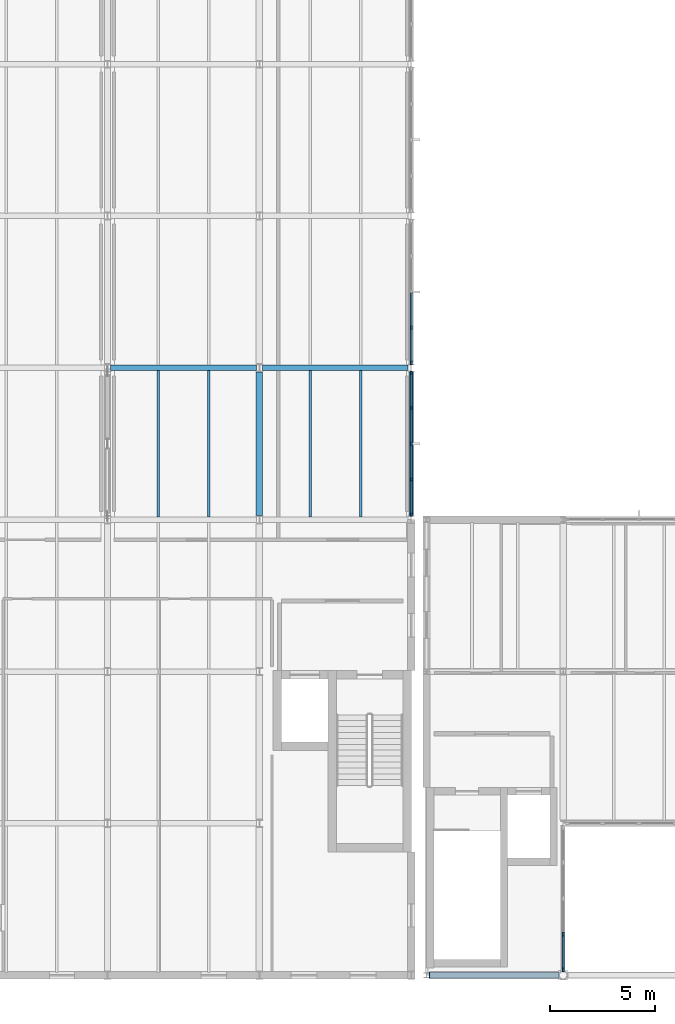
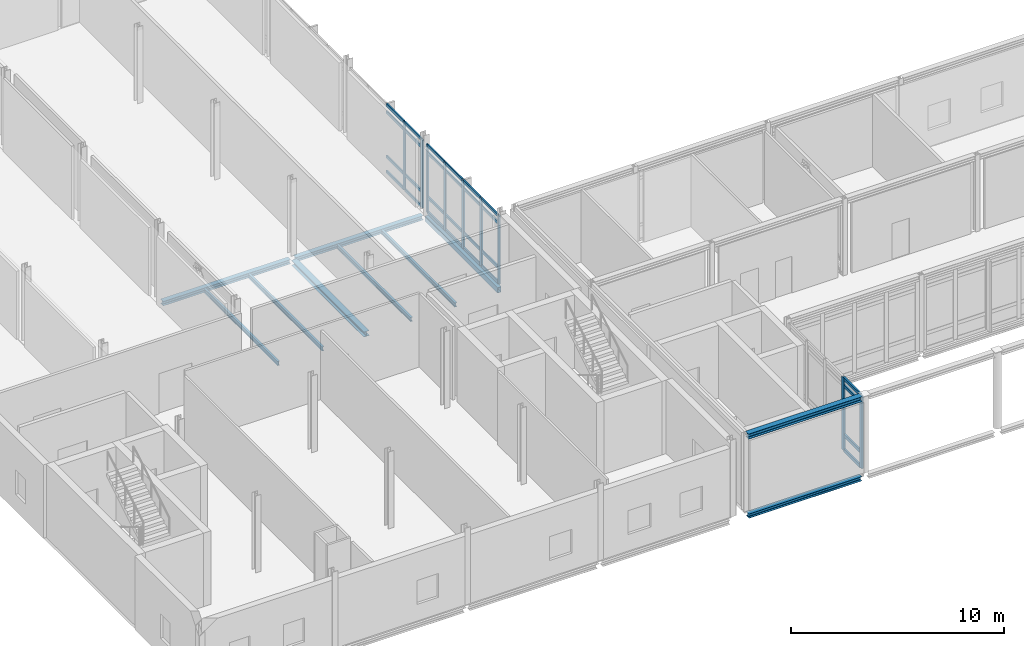
# One storey, part 8 of 43: 37 members, 10 beams, 3 elements without a shape of their own.
"""IFC4 building model written with IfcOpenShell, lengths in metres."""

import ifcopenshell
import ifcopenshell.guid

model = None  # the IFC model being written
_history = None  # IfcOwnerHistory: only IFC2X3 demands one
_inside = {}  # id of a spatial element -> (the spatial element, [elements in it])
_under = {}  # id of a project, library or spatial element -> (it, [spatial elements below it])
_declared = {}  # id of a project -> (the project, [libraries it declares])
_typed = {}  # id of a type object -> (the type object, [elements of that type])
_made_of = {}  # id of a material, layer set ... -> (it, [elements and type objects made of it])


def new_model(schema):
    """Start an empty IFC model of exactly this schema.

    Asked for "IFC4X3", IfcOpenShell would pick the latest addendum, in which some entities
    have other attributes; the version numbers below select the first issue.
    IFC2X3 requires an IfcOwnerHistory on every rooted entity: one is made here for all.
    """
    global model, _history
    if schema == "IFC4X3":
        model = ifcopenshell.file(schema_version=(4, 3, 0, 0))
    else:
        model = ifcopenshell.file(schema=schema)
    _inside.clear()
    _under.clear()
    _declared.clear()
    _typed.clear()
    _made_of.clear()
    _history = None
    if model.schema == "IFC2X3":
        org = make("IfcOrganization", Name="unknown")
        user = make(
            "IfcPersonAndOrganization",
            ThePerson=make("IfcPerson", FamilyName="unknown"),
            TheOrganization=org,
        )
        app = make(
            "IfcApplication",
            ApplicationDeveloper=org,
            Version="unknown",
            ApplicationFullName="unknown",
            ApplicationIdentifier="unknown",
        )
        _history = make(
            "IfcOwnerHistory",
            OwningUser=user,
            OwningApplication=app,
            ChangeAction="ADDED",
            CreationDate=0,
        )
    return model


def make(cls, **values):
    """One entity of the class cls with the attributes given. An attribute that is None is left unset."""
    return model.create_entity(
        cls, **{name: value for name, value in values.items() if value is not None}
    )


def rooted(cls, **values):
    """An entity with a GlobalId (a new one), such as an element, a storey or a relation."""
    return make(cls, GlobalId=ifcopenshell.guid.new(), OwnerHistory=_history, **values)


def si_unit(unit_type, name, prefix=None):
    """IfcSIUnit, for example si_unit("LENGTHUNIT", "METRE", prefix="MILLI")."""
    return make("IfcSIUnit", UnitType=unit_type, Prefix=prefix, Name=name)


def assignment(units):
    """IfcUnitAssignment: the units of a project."""
    return None if units is None else make("IfcUnitAssignment", Units=units)


def point(xyz):
    """IfcCartesianPoint."""
    return None if xyz is None else make("IfcCartesianPoint", Coordinates=xyz)


def direction(xyz):
    """IfcDirection."""
    return None if xyz is None else make("IfcDirection", DirectionRatios=xyz)


def frame(location, z_axis=None, x_axis=None):
    """IfcAxis2Placement3D, a coordinate frame: its origin and axes. An axis left out is left unset."""
    return make(
        "IfcAxis2Placement3D",
        Location=point(location),
        Axis=direction(z_axis),
        RefDirection=direction(x_axis),
    )


def frame_2d(location, x_axis=None):
    """IfcAxis2Placement2D, a coordinate frame in the plane: its origin and x axis."""
    return make(
        "IfcAxis2Placement2D", Location=point(location), RefDirection=direction(x_axis)
    )


def origin():
    """The frame at (0, 0, 0) with its axes left unset."""
    return frame((0.0, 0.0, 0.0))


def origin_2d():
    """The frame at (0, 0) in the plane with its x axis left unset."""
    return frame_2d((0.0, 0.0))


def place(relative_to, where):
    """IfcLocalPlacement: puts the frame where relative to a parent placement (None: the world)."""
    return make(
        "IfcLocalPlacement", PlacementRelTo=relative_to, RelativePlacement=where
    )


def context(
    kind, dimensions, precision=None, world=None, true_north=None, identifier=None
):
    """IfcGeometricRepresentationContext, for example the 3D "Model" context."""
    return make(
        "IfcGeometricRepresentationContext",
        ContextIdentifier=identifier,
        ContextType=kind,
        CoordinateSpaceDimension=dimensions,
        Precision=precision,
        WorldCoordinateSystem=world,
        TrueNorth=true_north,
    )


def subcontext(parent, identifier, kind, view, scale=None):
    """IfcGeometricRepresentationSubContext, for example "Body" below "Model"."""
    return make(
        "IfcGeometricRepresentationSubContext",
        ContextIdentifier=identifier,
        ContextType=kind,
        ParentContext=parent,
        TargetScale=scale,
        TargetView=view,
    )


def project(units=None, contexts=None):
    """IfcProject with its units and contexts."""
    return rooted(
        "IfcProject",
        Name="project",
        RepresentationContexts=contexts,
        UnitsInContext=assignment(units),
    )


def spatial(cls, under=None, at=None, **own):
    """A site, building, storey or space (cls), placed at a placement, below another one or the project."""
    s = rooted(cls, ObjectPlacement=at, **own)
    if under is not None:
        _under.setdefault(under.id(), (under, []))[1].append(s)
    return s


def profile(cls, at=None, kind="AREA", **sizes):
    """A parametric profile (cls). Its sizes go by their IFC names, for example OverallWidth=200.0."""
    return make(cls, ProfileType=kind, Position=at, **sizes)


def rectangle(**sizes):
    """IfcRectangleProfileDef."""
    return profile("IfcRectangleProfileDef", **sizes)


def hollow_rectangle(**sizes):
    """IfcRectangleHollowProfileDef."""
    return profile("IfcRectangleHollowProfileDef", **sizes)


def i_section(**sizes):
    """IfcIShapeProfileDef."""
    return profile("IfcIShapeProfileDef", **sizes)


def extrude(swept, where, along, depth):
    """IfcExtrudedAreaSolid: the profile swept, set in the frame where, extruded along a direction by depth."""
    return make(
        "IfcExtrudedAreaSolid",
        SweptArea=swept,
        Position=where,
        ExtrudedDirection=direction(along),
        Depth=depth,
    )


def shape(context_of_items, identifier, shape_type, items):
    """IfcShapeRepresentation: the items that make up one representation, for example the "Body"."""
    return make(
        "IfcShapeRepresentation",
        ContextOfItems=context_of_items,
        RepresentationIdentifier=identifier,
        RepresentationType=shape_type,
        Items=items,
    )


def material(Name=None, Category=None):
    """IfcMaterial."""
    return make("IfcMaterial", Name=Name, Category=Category)


def layer(
    of_material, thickness, ventilated=None, Name=None, Category=None, Priority=None
):
    """IfcMaterialLayer: one layer of a wall or slab, of a material (None: an air gap)."""
    return make(
        "IfcMaterialLayer",
        Material=of_material,
        LayerThickness=thickness,
        IsVentilated=ventilated,
        Name=Name,
        Category=Category,
        Priority=Priority,
    )


def layer_set(layers, Name=None):
    """IfcMaterialLayerSet."""
    return make("IfcMaterialLayerSet", MaterialLayers=layers, LayerSetName=Name)


def material_profile(
    of_material, cross_section, Name=None, Category=None, Priority=None
):
    """IfcMaterialProfile: a cross section and its material."""
    return make(
        "IfcMaterialProfile",
        Name=Name,
        Material=of_material,
        Profile=cross_section,
        Priority=Priority,
        Category=Category,
    )


def profile_set(profiles, Name=None, composite=None):
    """IfcMaterialProfileSet."""
    return make(
        "IfcMaterialProfileSet",
        Name=Name,
        MaterialProfiles=profiles,
        CompositeProfile=composite,
    )


def made_of(thing, what):
    """Note that an element or type object is made of a material, layer set ...; save() writes the relation."""
    if what is not None:
        _made_of.setdefault(what.id(), (what, []))[1].append(thing)
    return thing


def type_object(cls, material=None, **own):
    """A type object (cls), such as IfcWallType, which elements share."""
    return made_of(rooted(cls, **own), material)


def element(
    cls,
    number,
    at=None,
    inside=None,
    cuts=None,
    type_object=None,
    material=None,
    context=None,
    identifier="Body",
    shape_type=None,
    held_by="IfcProductDefinitionShape",
    body=None,
    shapes=None,
    **own,
):
    """One element of the class cls, such as IfcWall. Its Tag is "e" and its number.

    at: its placement. inside: the storey or other place that contains it. cuts: it is an
    opening in that element (IfcRelVoidsElement). A single representation is given by context,
    identifier, shape_type and body (its items); several are given by shapes. held_by: the class
    of the entity that holds the representations. save() writes the other relations.
    """
    e = rooted(cls, Tag="e%d" % number, ObjectPlacement=at, **own)
    if body is not None:
        shapes = [shape(context, identifier, shape_type, body)]
    if shapes is not None:
        e.Representation = make(held_by, Representations=shapes)
    if inside is not None:
        _inside.setdefault(inside.id(), (inside, []))[1].append(e)
    if cuts is not None:
        rooted(
            "IfcRelVoidsElement", RelatingBuildingElement=cuts, RelatedOpeningElement=e
        )
    if type_object is not None:
        _typed.setdefault(type_object.id(), (type_object, []))[1].append(e)
    return made_of(e, material)


def aggregate(whole, parts):
    """IfcRelAggregates: a whole, such as a stair, and the parts it consists of."""
    return rooted("IfcRelAggregates", RelatingObject=whole, RelatedObjects=parts)


def save(model, path):
    """Write the relations noted so far, then the file.

    IfcRelAggregates (storeys below a building ...), IfcRelContainedInSpatialStructure (elements
    in a storey), IfcRelDefinesByType, IfcRelAssociatesMaterial and IfcRelDeclares: one each for
    every whole, place, type object, material and project.
    """
    for whole, parts in _under.values():
        aggregate(whole, parts)
    for where, things in _inside.values():
        rooted(
            "IfcRelContainedInSpatialStructure",
            RelatedElements=things,
            RelatingStructure=where,
        )
    for kind, things in _typed.values():
        rooted("IfcRelDefinesByType", RelatedObjects=things, RelatingType=kind)
    for what, things in _made_of.values():
        rooted("IfcRelAssociatesMaterial", RelatedObjects=things, RelatingMaterial=what)
    for by, libraries in _declared.values():
        rooted("IfcRelDeclares", RelatingContext=by, RelatedDefinitions=libraries)
    model.write(path)


model = new_model("IFC4")

# Units and contexts
model_context = context("Model", 3, precision=1e-05, world=origin(), true_north=direction((0.0, 1.0)))
body_context = subcontext(model_context, "Body", "Model", "MODEL_VIEW")
ifc_project = project(units=[si_unit("LENGTHUNIT", "METRE"), si_unit("AREAUNIT", "SQUARE_METRE"), si_unit("VOLUMEUNIT", "CUBIC_METRE"), si_unit("PLANEANGLEUNIT", "RADIAN"), si_unit("MASSUNIT", "GRAM", prefix="KILO")], contexts=[model_context])

# Site, building, storey
site_placement = place(None, origin())
site = spatial("IfcSite", under=ifc_project, at=site_placement, CompositionType="ELEMENT")
building_placement = place(site_placement, origin())
building = spatial("IfcBuilding", under=site, at=building_placement, Name="Zarrinpeak Specialist Clinic", CompositionType="ELEMENT")
storey_placement = place(building_placement, frame((0.0, 0.0, 18.39990234375)))
storey = spatial("IfcBuildingStorey", under=building, at=storey_placement, Name="L04", CompositionType="ELEMENT", Elevation=18.39990234375)

# Beams
ifc_material_1 = material(Name="Steel S355", Category="steel")
ifc_material_profile_1 = material_profile(ifc_material_1, i_section(OverallWidth=0.260009765625, OverallDepth=0.25, WebThickness=0.007568359375, FlangeThickness=0.012451171875, FilletRadius=0.02392578125, at=origin_2d()), Name="HEA 260")
ifc_profile_set_1 = profile_set([ifc_material_profile_1], Name="Steel S355")
beam_type_1 = type_object("IfcBeamType", Name="BM-HEA260", PredefinedType="BEAM", material=ifc_profile_set_1)
beam_1_placement = place(storey_placement, frame((29.66796875, 0.0, -0.324951171875), z_axis=(1.0, 0.0, 0.0), x_axis=(0.0, 1.0, 0.0)))
element("IfcBeam", 1, at=beam_1_placement, inside=storey, type_object=beam_type_1, Name="L04 Primary Floor Girder BM-L04-X1812", PredefinedType="BEAM", context=body_context, shape_type="SweptSolid", body=[
    extrude(i_section(OverallWidth=0.260009765625, OverallDepth=0.25, WebThickness=0.007568359375, FlangeThickness=0.012451171875, FilletRadius=0.02392578125, at=origin_2d()), origin(), (0.0, 0.0, 1.0), 6.130859375),
])
beam_2_placement = place(storey_placement, frame((14.548095703125, 28.800048828125, -0.324951171875), z_axis=(1.0, 0.0, 0.0), x_axis=(0.0, 1.0, 0.0)))
element("IfcBeam", 2, at=beam_2_placement, inside=storey, type_object=beam_type_1, Name="L04 Primary Floor Girder BM-L04-X1849", PredefinedType="BEAM", context=body_context, shape_type="SweptSolid", body=[
    extrude(i_section(OverallWidth=0.260009765625, OverallDepth=0.25, WebThickness=0.007568359375, FlangeThickness=0.012451171875, FilletRadius=0.02392578125, at=origin_2d()), origin(), (0.0, 0.0, 1.0), 6.90380859375),
])
beam_3_placement = place(storey_placement, frame((21.748046875, 28.800048828125, -0.324951171875), z_axis=(1.0, 0.0, 0.0), x_axis=(0.0, 1.0, 0.0)))
element("IfcBeam", 3, at=beam_3_placement, inside=storey, type_object=beam_type_1, Name="L04 Primary Floor Girder BM-L04-X1850", PredefinedType="BEAM", context=body_context, shape_type="SweptSolid", body=[
    extrude(i_section(OverallWidth=0.260009765625, OverallDepth=0.25, WebThickness=0.007568359375, FlangeThickness=0.012451171875, FilletRadius=0.02392578125, at=origin_2d()), origin(), (0.0, 0.0, 1.0), 6.904052734375),
])
ifc_material_profile_2 = material_profile(ifc_material_1, i_section(OverallWidth=0.300048828125, OverallDepth=0.2900390625, WebThickness=0.008544921875, FlangeThickness=0.013916015625, FilletRadius=0.027099609375, at=origin_2d()), Name="HEA 300")
ifc_profile_set_2 = profile_set([ifc_material_profile_2], Name="Steel S355")
beam_type_2 = type_object("IfcBeamType", Name="BM-HEA300", PredefinedType="BEAM", material=ifc_profile_set_2)
beam_4_placement = place(storey_placement, frame((21.60009765625, 21.798095703125, -0.344970703125), z_axis=(0.0, 1.0, 0.0), x_axis=(-1.0, 0.0, 0.0)))
element("IfcBeam", 4, at=beam_4_placement, inside=storey, type_object=beam_type_2, Name="L04 Primary Beam BM-L04-Y1902", PredefinedType="BEAM", context=body_context, shape_type="SweptSolid", body=[
    extrude(i_section(OverallWidth=0.300048828125, OverallDepth=0.2900390625, WebThickness=0.008544921875, FlangeThickness=0.013916015625, FilletRadius=0.027099609375, at=origin_2d()), origin(), (0.0, 0.0, 1.0), 6.803955078125),
])
beam_5_placement = place(storey_placement, frame((29.637939453125, 0.0, 4.25), z_axis=(1.0, 0.0, 0.0), x_axis=(0.0, 1.0, 0.0)))
element("IfcBeam", 5, at=beam_5_placement, inside=storey, type_object=beam_type_2, Name="L04 Gable Eave Tie Girder V2 BM-RF-EAVE-2331", PredefinedType="BEAM", context=body_context, shape_type="SweptSolid", body=[
    extrude(i_section(OverallWidth=0.300048828125, OverallDepth=0.2900390625, WebThickness=0.008544921875, FlangeThickness=0.013916015625, FilletRadius=0.027099609375, at=origin_2d()), origin(), (0.0, 0.0, 1.0), 6.160888671875),
])
ifc_material_profile_3 = material_profile(ifc_material_1, i_section(OverallWidth=0.1201171875, OverallDepth=0.239990234375, WebThickness=0.006103515625, FlangeThickness=0.009765625, FilletRadius=0.014892578125, at=origin_2d()), Name="IPE 240")
ifc_profile_set_3 = profile_set([ifc_material_profile_3], Name="Steel S355")
beam_type_3 = type_object("IfcBeamType", Name="BM-JST240", PredefinedType="JOIST", material=ifc_profile_set_3)
for number, where, z_axis, x_axis, name in (
    (6, (16.800048828125, 21.72802734375, -0.31982421875), (0.0, 1.0, 0.0), (-1.0, 0.0, 0.0), "L04 Composite Floor Joist JST-L04-1973"),
    (7, (19.199951171875, 21.72802734375, -0.31982421875), (0.0, 1.0, 0.0), (-1.0, 0.0, 0.0), "L04 Composite Floor Joist JST-L04-1974"),
    (8, (24.0, 21.72802734375, -0.31982421875), (0.0, 1.0, 0.0), (-1.0, 0.0, 0.0), "L04 Composite Floor Joist JST-L04-1981"),
    (9, (26.39990234375, 21.72802734375, -0.31982421875), (0.0, 1.0, 0.0), (-1.0, 0.0, 0.0), "L04 Composite Floor Joist JST-L04-1982"),
):
    element("IfcBeam", number, at=place(storey_placement, frame(where, z_axis=z_axis, x_axis=x_axis)), inside=storey, type_object=beam_type_3, Name=name, PredefinedType="JOIST", context=body_context, shape_type="SweptSolid", body=[
        extrude(i_section(OverallWidth=0.1201171875, OverallDepth=0.239990234375, WebThickness=0.006103515625, FlangeThickness=0.009765625, FilletRadius=0.014892578125, at=origin_2d()), origin(), (0.0, 0.0, 1.0), 6.944091796875),
    ])
ifc_material_profile_4 = material_profile(ifc_material_1, hollow_rectangle(XDim=0.199951171875, YDim=0.300048828125, WallThickness=0.012451171875, at=origin_2d()), Name="RHS 300x200x12.5")
ifc_profile_set_4 = profile_set([ifc_material_profile_4], Name="Steel S355")
beam_type_4 = type_object("IfcBeamType", Name="BM-SP300", PredefinedType="SPANDREL", material=ifc_profile_set_4)
beam_6_placement = place(storey_placement, frame((28.800048828125, 21.798095703125, -0.349853515625), z_axis=(0.0, 1.0, 0.0), x_axis=(-1.0, 0.0, 0.0)))
element("IfcBeam", 10, at=beam_6_placement, inside=storey, type_object=beam_type_4, Name="L04 Perimeter Spandrel Beam BM-L04-Y1906", PredefinedType="SPANDREL", context=body_context, shape_type="SweptSolid", body=[
    extrude(hollow_rectangle(XDim=0.199951171875, YDim=0.300048828125, WallThickness=0.012451171875, at=origin_2d()), origin(), (0.0, 0.0, 1.0), 6.803955078125),
])

# Curtain wall, members
ifc_material_2 = material(Name="Anodised Aluminium Alloy 6063-T6", Category="aluminium")
ifc_layer_1 = layer(ifc_material_2, 0.179931640625)
ifc_layer_set_1 = layer_set([ifc_layer_1], Name="Anodised Aluminium Alloy 6063-T6")
curtain_wall_type_1 = type_object("IfcCurtainWallType", Name="CW-COURT", PredefinedType="NOTDEFINED", material=ifc_layer_set_1)
curtain_wall_1_placement = place(storey_placement, origin())
curtain_wall_1 = element("IfcCurtainWall", 11, at=curtain_wall_1_placement, inside=storey, type_object=curtain_wall_type_1, Name="L04 V1 Unitised Curtain Wall CW-L04-V1-027", PredefinedType="NOTDEFINED")
ifc_material_profile_5 = material_profile(ifc_material_2, rectangle(XDim=0.074951171875, YDim=0.179931640625, at=origin_2d()), Name="ALU 75x180")
ifc_profile_set_5 = profile_set([ifc_material_profile_5], Name="Anodised Aluminium Alloy 6063-T6")
member_type_1 = type_object("IfcMemberType", Name="CWM-75", PredefinedType="MULLION", material=ifc_profile_set_5)
member_1_placement = place(storey_placement, frame((28.800048828125, 21.842529296875, 0.0), z_axis=(0.0, 0.0, 1.0), x_axis=(-1.0, 0.0, 0.0)))
member_1 = element("IfcMember", 12, at=member_1_placement, type_object=member_type_1, Name="CW-01 mullion 1", PredefinedType="MULLION", context=body_context, shape_type="SweptSolid", body=[
    extrude(rectangle(XDim=0.074951171875, YDim=0.179931640625, at=origin_2d()), origin(), (0.0, 0.0, 1.0), 3.900146484375),
])
member_2_placement = place(storey_placement, frame((28.800048828125, 23.50244140625, 0.0), z_axis=(0.0, 0.0, 1.0), x_axis=(-1.0, 0.0, 0.0)))
member_2 = element("IfcMember", 13, at=member_2_placement, type_object=member_type_1, Name="CW-01 mullion 2", PredefinedType="MULLION", context=body_context, shape_type="SweptSolid", body=[
    extrude(rectangle(XDim=0.074951171875, YDim=0.179931640625, at=origin_2d()), origin(), (0.0, 0.0, 1.0), 3.900146484375),
])
member_3_placement = place(storey_placement, frame((28.800048828125, 25.199951171875, 0.0), z_axis=(0.0, 0.0, 1.0), x_axis=(-1.0, 0.0, 0.0)))
member_3 = element("IfcMember", 14, at=member_3_placement, type_object=member_type_1, Name="CW-01 mullion 3", PredefinedType="MULLION", context=body_context, shape_type="SweptSolid", body=[
    extrude(rectangle(XDim=0.074951171875, YDim=0.179931640625, at=origin_2d()), origin(), (0.0, 0.0, 1.0), 3.900146484375),
])
member_4_placement = place(storey_placement, frame((28.800048828125, 26.8974609375, 0.0), z_axis=(0.0, 0.0, 1.0), x_axis=(-1.0, 0.0, 0.0)))
member_4 = element("IfcMember", 15, at=member_4_placement, type_object=member_type_1, Name="CW-01 mullion 4", PredefinedType="MULLION", context=body_context, shape_type="SweptSolid", body=[
    extrude(rectangle(XDim=0.074951171875, YDim=0.179931640625, at=origin_2d()), origin(), (0.0, 0.0, 1.0), 3.900146484375),
])
member_5_placement = place(storey_placement, frame((28.800048828125, 28.5576171875, 0.0), z_axis=(0.0, 0.0, 1.0), x_axis=(-1.0, 0.0, 0.0)))
member_5 = element("IfcMember", 16, at=member_5_placement, type_object=member_type_1, Name="CW-01 mullion 5", PredefinedType="MULLION", context=body_context, shape_type="SweptSolid", body=[
    extrude(rectangle(XDim=0.074951171875, YDim=0.179931640625, at=origin_2d()), origin(), (0.0, 0.0, 1.0), 3.900146484375),
])

curtain_wall_2_placement = place(storey_placement, origin())
curtain_wall_2 = element("IfcCurtainWall", 17, at=curtain_wall_2_placement, inside=storey, type_object=curtain_wall_type_1, Name="L04 V1 Unitised Curtain Wall CW-L04-V1-028", PredefinedType="NOTDEFINED")
member_6_placement = place(storey_placement, frame((28.800048828125, 29.04248046875, 0.0), z_axis=(0.0, 0.0, 1.0), x_axis=(-1.0, 0.0, 0.0)))
member_6 = element("IfcMember", 18, at=member_6_placement, type_object=member_type_1, Name="CW-01 mullion 1", PredefinedType="MULLION", context=body_context, shape_type="SweptSolid", body=[
    extrude(rectangle(XDim=0.074951171875, YDim=0.179931640625, at=origin_2d()), origin(), (0.0, 0.0, 1.0), 3.900146484375),
])
member_7_placement = place(storey_placement, frame((28.800048828125, 30.702392578125, 0.0), z_axis=(0.0, 0.0, 1.0), x_axis=(-1.0, 0.0, 0.0)))
member_7 = element("IfcMember", 19, at=member_7_placement, type_object=member_type_1, Name="CW-01 mullion 2", PredefinedType="MULLION", context=body_context, shape_type="SweptSolid", body=[
    extrude(rectangle(XDim=0.074951171875, YDim=0.179931640625, at=origin_2d()), origin(), (0.0, 0.0, 1.0), 3.900146484375),
])

ifc_layer_2 = layer(ifc_material_2, 0.18994140625)
ifc_layer_set_2 = layer_set([ifc_layer_2], Name="Anodised Aluminium Alloy 6063-T6")
curtain_wall_type_2 = type_object("IfcCurtainWallType", Name="CW-LOGGIA", PredefinedType="NOTDEFINED", material=ifc_layer_set_2)
curtain_wall_3_placement = place(storey_placement, origin())
curtain_wall_3 = element("IfcCurtainWall", 20, at=curtain_wall_3_placement, inside=storey, type_object=curtain_wall_type_2, Name="L04 V2 Unitised Curtain Wall CW-L04-V2-065", PredefinedType="NOTDEFINED")
ifc_material_profile_6 = material_profile(ifc_material_2, rectangle(XDim=0.090087890625, YDim=0.219970703125, at=origin_2d()), Name="ALU 90x220")
ifc_profile_set_6 = profile_set([ifc_material_profile_6], Name="Anodised Aluminium Alloy 6063-T6")
member_type_2 = type_object("IfcMemberType", Name="CWM-90", PredefinedType="MULLION", material=ifc_profile_set_6)
member_8_placement = place(storey_placement, frame((36.0, 0.273193359375, 0.0), z_axis=(0.0, 0.0, 1.0), x_axis=(-1.0, 0.0, 0.0)))
member_8 = element("IfcMember", 21, at=member_8_placement, type_object=member_type_2, Name="CW-04 mullion 1", PredefinedType="MULLION", context=body_context, shape_type="SweptSolid", body=[
    extrude(rectangle(XDim=0.090087890625, YDim=0.219970703125, at=origin_2d()), origin(), (0.0, 0.0, 1.0), 4.18017578125),
])
member_9_placement = place(storey_placement, frame((36.0, 1.934814453125, 0.0), z_axis=(0.0, 0.0, 1.0), x_axis=(-1.0, 0.0, 0.0)))
member_9 = element("IfcMember", 22, at=member_9_placement, type_object=member_type_2, Name="CW-04 mullion 2", PredefinedType="MULLION", context=body_context, shape_type="SweptSolid", body=[
    extrude(rectangle(XDim=0.090087890625, YDim=0.219970703125, at=origin_2d()), origin(), (0.0, 0.0, 1.0), 4.18017578125),
])

# Member
ifc_material_profile_7 = material_profile(ifc_material_2, rectangle(XDim=0.074951171875, YDim=0.159912109375, at=origin_2d()), Name="ALU 75x160")
ifc_profile_set_7 = profile_set([ifc_material_profile_7], Name="Anodised Aluminium Alloy 6063-T6")
member_type_3 = type_object("IfcMemberType", Name="CWT-75", PredefinedType="USERDEFINED", material=ifc_profile_set_7)
member_10_placement = place(storey_placement, frame((28.800048828125, 21.8798828125, 0.03759765625), z_axis=(0.0, 1.0, 0.0), x_axis=(-1.0, 0.0, 0.0)))
member_10 = element("IfcMember", 23, at=member_10_placement, type_object=member_type_3, Name="CW-01 transom 1.1", ObjectType="TRANSOM", PredefinedType="USERDEFINED", context=body_context, shape_type="SweptSolid", body=[
    extrude(rectangle(XDim=0.074951171875, YDim=0.159912109375, at=origin_2d()), origin(), (0.0, 0.0, 1.0), 1.585205078125),
])

member_11_placement = place(storey_placement, frame((28.800048828125, 21.8798828125, 0.900146484375), z_axis=(0.0, 1.0, 0.0), x_axis=(-1.0, 0.0, 0.0)))
member_11 = element("IfcMember", 24, at=member_11_placement, type_object=member_type_3, Name="CW-01 transom 1.2", ObjectType="TRANSOM", PredefinedType="USERDEFINED", context=body_context, shape_type="SweptSolid", body=[
    extrude(rectangle(XDim=0.074951171875, YDim=0.159912109375, at=origin_2d()), origin(), (0.0, 0.0, 1.0), 1.585205078125),
])

member_12_placement = place(storey_placement, frame((28.800048828125, 21.8798828125, 3.4501953125), z_axis=(0.0, 1.0, 0.0), x_axis=(-1.0, 0.0, 0.0)))
member_12 = element("IfcMember", 25, at=member_12_placement, type_object=member_type_3, Name="CW-01 transom 1.3", ObjectType="TRANSOM", PredefinedType="USERDEFINED", context=body_context, shape_type="SweptSolid", body=[
    extrude(rectangle(XDim=0.074951171875, YDim=0.159912109375, at=origin_2d()), origin(), (0.0, 0.0, 1.0), 1.585205078125),
])

member_13_placement = place(storey_placement, frame((28.800048828125, 21.8798828125, 3.862548828125), z_axis=(0.0, 1.0, 0.0), x_axis=(-1.0, 0.0, 0.0)))
member_13 = element("IfcMember", 26, at=member_13_placement, type_object=member_type_3, Name="CW-01 transom 1.4", ObjectType="TRANSOM", PredefinedType="USERDEFINED", context=body_context, shape_type="SweptSolid", body=[
    extrude(rectangle(XDim=0.074951171875, YDim=0.159912109375, at=origin_2d()), origin(), (0.0, 0.0, 1.0), 1.585205078125),
])

member_14_placement = place(storey_placement, frame((28.800048828125, 23.5400390625, 0.03759765625), z_axis=(0.0, 1.0, 0.0), x_axis=(-1.0, 0.0, 0.0)))
member_14 = element("IfcMember", 27, at=member_14_placement, type_object=member_type_3, Name="CW-01 transom 2.1", ObjectType="TRANSOM", PredefinedType="USERDEFINED", context=body_context, shape_type="SweptSolid", body=[
    extrude(rectangle(XDim=0.074951171875, YDim=0.159912109375, at=origin_2d()), origin(), (0.0, 0.0, 1.0), 1.62255859375),
])

member_15_placement = place(storey_placement, frame((28.800048828125, 23.5400390625, 0.900146484375), z_axis=(0.0, 1.0, 0.0), x_axis=(-1.0, 0.0, 0.0)))
member_15 = element("IfcMember", 28, at=member_15_placement, type_object=member_type_3, Name="CW-01 transom 2.2", ObjectType="TRANSOM", PredefinedType="USERDEFINED", context=body_context, shape_type="SweptSolid", body=[
    extrude(rectangle(XDim=0.074951171875, YDim=0.159912109375, at=origin_2d()), origin(), (0.0, 0.0, 1.0), 1.62255859375),
])

member_16_placement = place(storey_placement, frame((28.800048828125, 23.5400390625, 3.4501953125), z_axis=(0.0, 1.0, 0.0), x_axis=(-1.0, 0.0, 0.0)))
member_16 = element("IfcMember", 29, at=member_16_placement, type_object=member_type_3, Name="CW-01 transom 2.3", ObjectType="TRANSOM", PredefinedType="USERDEFINED", context=body_context, shape_type="SweptSolid", body=[
    extrude(rectangle(XDim=0.074951171875, YDim=0.159912109375, at=origin_2d()), origin(), (0.0, 0.0, 1.0), 1.62255859375),
])

member_17_placement = place(storey_placement, frame((28.800048828125, 23.5400390625, 3.862548828125), z_axis=(0.0, 1.0, 0.0), x_axis=(-1.0, 0.0, 0.0)))
member_17 = element("IfcMember", 30, at=member_17_placement, type_object=member_type_3, Name="CW-01 transom 2.4", ObjectType="TRANSOM", PredefinedType="USERDEFINED", context=body_context, shape_type="SweptSolid", body=[
    extrude(rectangle(XDim=0.074951171875, YDim=0.159912109375, at=origin_2d()), origin(), (0.0, 0.0, 1.0), 1.62255859375),
])

member_18_placement = place(storey_placement, frame((28.800048828125, 25.237548828125, 0.03759765625), z_axis=(0.0, 1.0, 0.0), x_axis=(-1.0, 0.0, 0.0)))
member_18 = element("IfcMember", 31, at=member_18_placement, type_object=member_type_3, Name="CW-01 transom 3.1", ObjectType="TRANSOM", PredefinedType="USERDEFINED", context=body_context, shape_type="SweptSolid", body=[
    extrude(rectangle(XDim=0.074951171875, YDim=0.159912109375, at=origin_2d()), origin(), (0.0, 0.0, 1.0), 1.62255859375),
])

member_19_placement = place(storey_placement, frame((28.800048828125, 25.237548828125, 0.900146484375), z_axis=(0.0, 1.0, 0.0), x_axis=(-1.0, 0.0, 0.0)))
member_19 = element("IfcMember", 32, at=member_19_placement, type_object=member_type_3, Name="CW-01 transom 3.2", ObjectType="TRANSOM", PredefinedType="USERDEFINED", context=body_context, shape_type="SweptSolid", body=[
    extrude(rectangle(XDim=0.074951171875, YDim=0.159912109375, at=origin_2d()), origin(), (0.0, 0.0, 1.0), 1.62255859375),
])

member_20_placement = place(storey_placement, frame((28.800048828125, 25.237548828125, 3.4501953125), z_axis=(0.0, 1.0, 0.0), x_axis=(-1.0, 0.0, 0.0)))
member_20 = element("IfcMember", 33, at=member_20_placement, type_object=member_type_3, Name="CW-01 transom 3.3", ObjectType="TRANSOM", PredefinedType="USERDEFINED", context=body_context, shape_type="SweptSolid", body=[
    extrude(rectangle(XDim=0.074951171875, YDim=0.159912109375, at=origin_2d()), origin(), (0.0, 0.0, 1.0), 1.62255859375),
])

member_21_placement = place(storey_placement, frame((28.800048828125, 25.237548828125, 3.862548828125), z_axis=(0.0, 1.0, 0.0), x_axis=(-1.0, 0.0, 0.0)))
member_21 = element("IfcMember", 34, at=member_21_placement, type_object=member_type_3, Name="CW-01 transom 3.4", ObjectType="TRANSOM", PredefinedType="USERDEFINED", context=body_context, shape_type="SweptSolid", body=[
    extrude(rectangle(XDim=0.074951171875, YDim=0.159912109375, at=origin_2d()), origin(), (0.0, 0.0, 1.0), 1.62255859375),
])

member_22_placement = place(storey_placement, frame((28.800048828125, 26.93505859375, 0.03759765625), z_axis=(0.0, 1.0, 0.0), x_axis=(-1.0, 0.0, 0.0)))
member_22 = element("IfcMember", 35, at=member_22_placement, type_object=member_type_3, Name="CW-01 transom 4.1", ObjectType="TRANSOM", PredefinedType="USERDEFINED", context=body_context, shape_type="SweptSolid", body=[
    extrude(rectangle(XDim=0.074951171875, YDim=0.159912109375, at=origin_2d()), origin(), (0.0, 0.0, 1.0), 1.5849609375),
])

member_23_placement = place(storey_placement, frame((28.800048828125, 26.93505859375, 0.900146484375), z_axis=(0.0, 1.0, 0.0), x_axis=(-1.0, 0.0, 0.0)))
member_23 = element("IfcMember", 36, at=member_23_placement, type_object=member_type_3, Name="CW-01 transom 4.2", ObjectType="TRANSOM", PredefinedType="USERDEFINED", context=body_context, shape_type="SweptSolid", body=[
    extrude(rectangle(XDim=0.074951171875, YDim=0.159912109375, at=origin_2d()), origin(), (0.0, 0.0, 1.0), 1.5849609375),
])

member_24_placement = place(storey_placement, frame((28.800048828125, 26.93505859375, 3.4501953125), z_axis=(0.0, 1.0, 0.0), x_axis=(-1.0, 0.0, 0.0)))
member_24 = element("IfcMember", 37, at=member_24_placement, type_object=member_type_3, Name="CW-01 transom 4.3", ObjectType="TRANSOM", PredefinedType="USERDEFINED", context=body_context, shape_type="SweptSolid", body=[
    extrude(rectangle(XDim=0.074951171875, YDim=0.159912109375, at=origin_2d()), origin(), (0.0, 0.0, 1.0), 1.5849609375),
])

member_25_placement = place(storey_placement, frame((28.800048828125, 26.93505859375, 3.862548828125), z_axis=(0.0, 1.0, 0.0), x_axis=(-1.0, 0.0, 0.0)))
member_25 = element("IfcMember", 38, at=member_25_placement, type_object=member_type_3, Name="CW-01 transom 4.4", ObjectType="TRANSOM", PredefinedType="USERDEFINED", context=body_context, shape_type="SweptSolid", body=[
    extrude(rectangle(XDim=0.074951171875, YDim=0.159912109375, at=origin_2d()), origin(), (0.0, 0.0, 1.0), 1.5849609375),
])

aggregate(curtain_wall_1, [member_1, member_2, member_3, member_4, member_5, member_10, member_11, member_12, member_13, member_14, member_15, member_16, member_17, member_18, member_19, member_20, member_21, member_22, member_23, member_24, member_25])

member_26_placement = place(storey_placement, frame((28.800048828125, 29.080078125, 0.03759765625), z_axis=(0.0, 1.0, 0.0), x_axis=(-1.0, 0.0, 0.0)))
member_26 = element("IfcMember", 39, at=member_26_placement, type_object=member_type_3, Name="CW-01 transom 1.1", ObjectType="TRANSOM", PredefinedType="USERDEFINED", context=body_context, shape_type="SweptSolid", body=[
    extrude(rectangle(XDim=0.074951171875, YDim=0.159912109375, at=origin_2d()), origin(), (0.0, 0.0, 1.0), 1.5849609375),
])

member_27_placement = place(storey_placement, frame((28.800048828125, 29.080078125, 0.900146484375), z_axis=(0.0, 1.0, 0.0), x_axis=(-1.0, 0.0, 0.0)))
member_27 = element("IfcMember", 40, at=member_27_placement, type_object=member_type_3, Name="CW-01 transom 1.2", ObjectType="TRANSOM", PredefinedType="USERDEFINED", context=body_context, shape_type="SweptSolid", body=[
    extrude(rectangle(XDim=0.074951171875, YDim=0.159912109375, at=origin_2d()), origin(), (0.0, 0.0, 1.0), 1.5849609375),
])

member_28_placement = place(storey_placement, frame((28.800048828125, 29.080078125, 3.4501953125), z_axis=(0.0, 1.0, 0.0), x_axis=(-1.0, 0.0, 0.0)))
member_28 = element("IfcMember", 41, at=member_28_placement, type_object=member_type_3, Name="CW-01 transom 1.3", ObjectType="TRANSOM", PredefinedType="USERDEFINED", context=body_context, shape_type="SweptSolid", body=[
    extrude(rectangle(XDim=0.074951171875, YDim=0.159912109375, at=origin_2d()), origin(), (0.0, 0.0, 1.0), 1.5849609375),
])

member_29_placement = place(storey_placement, frame((28.800048828125, 29.080078125, 3.862548828125), z_axis=(0.0, 1.0, 0.0), x_axis=(-1.0, 0.0, 0.0)))
member_29 = element("IfcMember", 42, at=member_29_placement, type_object=member_type_3, Name="CW-01 transom 1.4", ObjectType="TRANSOM", PredefinedType="USERDEFINED", context=body_context, shape_type="SweptSolid", body=[
    extrude(rectangle(XDim=0.074951171875, YDim=0.159912109375, at=origin_2d()), origin(), (0.0, 0.0, 1.0), 1.5849609375),
])

member_30_placement = place(storey_placement, frame((28.800048828125, 30.739990234375, 0.03759765625), z_axis=(0.0, 1.0, 0.0), x_axis=(-1.0, 0.0, 0.0)))
member_30 = element("IfcMember", 43, at=member_30_placement, type_object=member_type_3, Name="CW-01 transom 2.1", ObjectType="TRANSOM", PredefinedType="USERDEFINED", context=body_context, shape_type="SweptSolid", body=[
    extrude(rectangle(XDim=0.074951171875, YDim=0.159912109375, at=origin_2d()), origin(), (0.0, 0.0, 1.0), 1.62255859375),
])

member_31_placement = place(storey_placement, frame((28.800048828125, 30.739990234375, 0.900146484375), z_axis=(0.0, 1.0, 0.0), x_axis=(-1.0, 0.0, 0.0)))
member_31 = element("IfcMember", 44, at=member_31_placement, type_object=member_type_3, Name="CW-01 transom 2.2", ObjectType="TRANSOM", PredefinedType="USERDEFINED", context=body_context, shape_type="SweptSolid", body=[
    extrude(rectangle(XDim=0.074951171875, YDim=0.159912109375, at=origin_2d()), origin(), (0.0, 0.0, 1.0), 1.62255859375),
])

member_32_placement = place(storey_placement, frame((28.800048828125, 30.739990234375, 3.4501953125), z_axis=(0.0, 1.0, 0.0), x_axis=(-1.0, 0.0, 0.0)))
member_32 = element("IfcMember", 45, at=member_32_placement, type_object=member_type_3, Name="CW-01 transom 2.3", ObjectType="TRANSOM", PredefinedType="USERDEFINED", context=body_context, shape_type="SweptSolid", body=[
    extrude(rectangle(XDim=0.074951171875, YDim=0.159912109375, at=origin_2d()), origin(), (0.0, 0.0, 1.0), 1.62255859375),
])

member_33_placement = place(storey_placement, frame((28.800048828125, 30.739990234375, 3.862548828125), z_axis=(0.0, 1.0, 0.0), x_axis=(-1.0, 0.0, 0.0)))
member_33 = element("IfcMember", 46, at=member_33_placement, type_object=member_type_3, Name="CW-01 transom 2.4", ObjectType="TRANSOM", PredefinedType="USERDEFINED", context=body_context, shape_type="SweptSolid", body=[
    extrude(rectangle(XDim=0.074951171875, YDim=0.159912109375, at=origin_2d()), origin(), (0.0, 0.0, 1.0), 1.62255859375),
])

aggregate(curtain_wall_2, [member_6, member_7, member_26, member_27, member_28, member_29, member_30, member_31, member_32, member_33])

ifc_material_profile_8 = material_profile(ifc_material_2, rectangle(XDim=0.090087890625, YDim=0.18994140625, at=origin_2d()), Name="ALU 90x190")
ifc_profile_set_8 = profile_set([ifc_material_profile_8], Name="Anodised Aluminium Alloy 6063-T6")
member_type_4 = type_object("IfcMemberType", Name="CWT-90", PredefinedType="USERDEFINED", material=ifc_profile_set_8)
member_34_placement = place(storey_placement, frame((36.0, 0.318115234375, 0.045166015625), z_axis=(0.0, 1.0, 0.0), x_axis=(-1.0, 0.0, 0.0)))
member_34 = element("IfcMember", 47, at=member_34_placement, type_object=member_type_4, Name="CW-04 transom 1.1", ObjectType="TRANSOM", PredefinedType="USERDEFINED", context=body_context, shape_type="SweptSolid", body=[
    extrude(rectangle(XDim=0.090087890625, YDim=0.18994140625, at=origin_2d()), origin(), (0.0, 0.0, 1.0), 1.57177734375),
])

member_35_placement = place(storey_placement, frame((36.0, 0.318115234375, 0.900146484375), z_axis=(0.0, 1.0, 0.0), x_axis=(-1.0, 0.0, 0.0)))
member_35 = element("IfcMember", 48, at=member_35_placement, type_object=member_type_4, Name="CW-04 transom 1.2", ObjectType="TRANSOM", PredefinedType="USERDEFINED", context=body_context, shape_type="SweptSolid", body=[
    extrude(rectangle(XDim=0.090087890625, YDim=0.18994140625, at=origin_2d()), origin(), (0.0, 0.0, 1.0), 1.57177734375),
])

member_36_placement = place(storey_placement, frame((36.0, 0.318115234375, 3.72998046875), z_axis=(0.0, 1.0, 0.0), x_axis=(-1.0, 0.0, 0.0)))
member_36 = element("IfcMember", 49, at=member_36_placement, type_object=member_type_4, Name="CW-04 transom 1.3", ObjectType="TRANSOM", PredefinedType="USERDEFINED", context=body_context, shape_type="SweptSolid", body=[
    extrude(rectangle(XDim=0.090087890625, YDim=0.18994140625, at=origin_2d()), origin(), (0.0, 0.0, 1.0), 1.57177734375),
])

member_37_placement = place(storey_placement, frame((36.0, 0.318115234375, 4.135009765625), z_axis=(0.0, 1.0, 0.0), x_axis=(-1.0, 0.0, 0.0)))
member_37 = element("IfcMember", 50, at=member_37_placement, type_object=member_type_4, Name="CW-04 transom 1.4", ObjectType="TRANSOM", PredefinedType="USERDEFINED", context=body_context, shape_type="SweptSolid", body=[
    extrude(rectangle(XDim=0.090087890625, YDim=0.18994140625, at=origin_2d()), origin(), (0.0, 0.0, 1.0), 1.57177734375),
])

aggregate(curtain_wall_3, [member_8, member_9, member_34, member_35, member_36, member_37])

save(model, "model.ifc")
